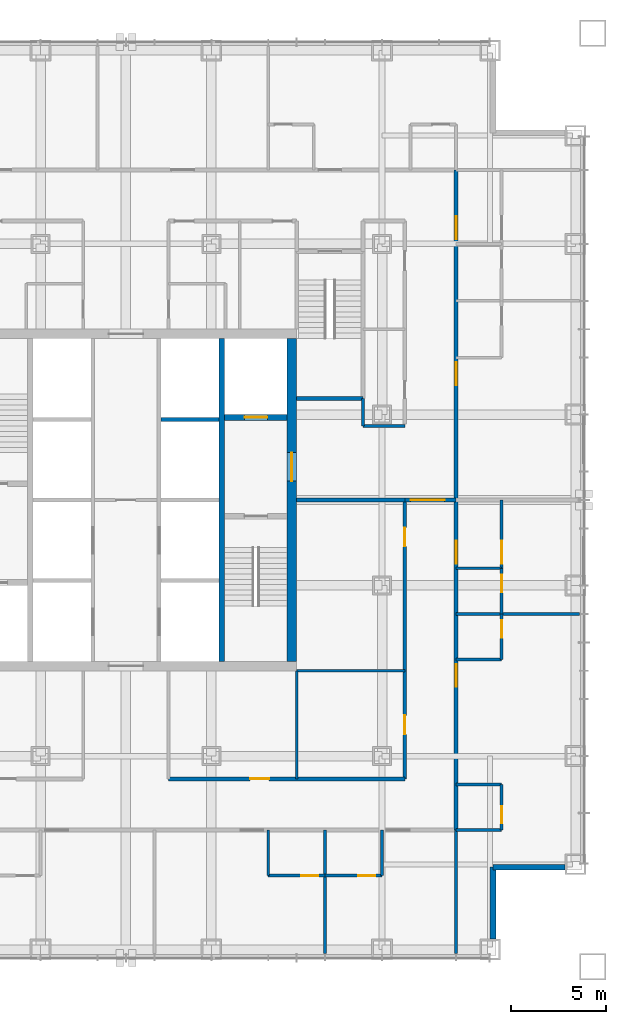
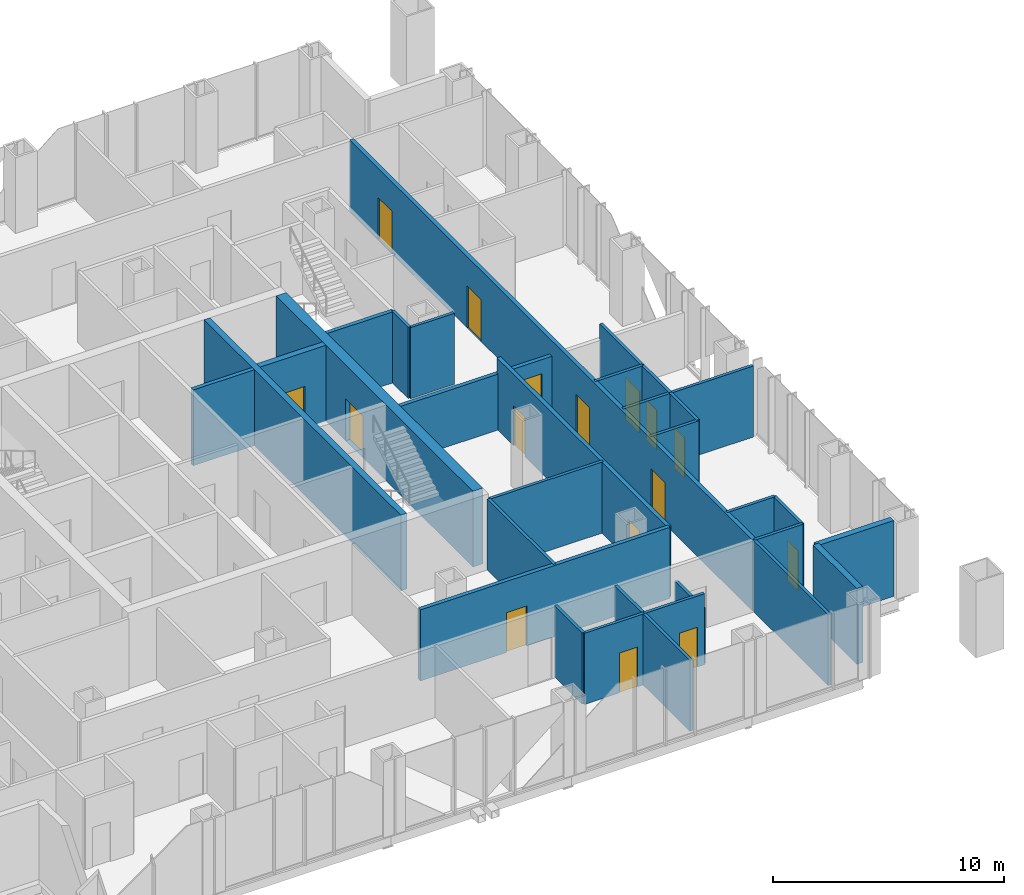
# One storey, part 10 of 17: 31 walls, 16 doors, 16 openings.
"""IFC4 building model written with IfcOpenShell, lengths in metres."""

from ifc_helpers import new_model, si_unit, direction, frame, frame_2d, origin, place, context, subcontext, project, spatial, rectangle, extrude, material, layer, layer_set, type_object, element, fill, save


model = new_model("IFC4")

# Units and contexts
model_context = context("Model", 3, precision=1e-05, world=origin(), true_north=direction((0.0, 1.0)))
body_context = subcontext(model_context, "Body", "Model", "MODEL_VIEW")
ifc_project = project(units=[si_unit("LENGTHUNIT", "METRE"), si_unit("AREAUNIT", "SQUARE_METRE"), si_unit("VOLUMEUNIT", "CUBIC_METRE"), si_unit("PLANEANGLEUNIT", "RADIAN"), si_unit("MASSUNIT", "GRAM", prefix="KILO")], contexts=[model_context])

# Site, building, storey
site_placement = place(None, origin())
site = spatial("IfcSite", under=ifc_project, at=site_placement, CompositionType="ELEMENT")
building_placement = place(site_placement, origin())
building = spatial("IfcBuilding", under=site, at=building_placement, Name="Malebo Sky Hospital", CompositionType="ELEMENT")
storey_placement = place(building_placement, frame((0.0, 0.0, 120.0)))
storey = spatial("IfcBuildingStorey", under=building, at=storey_placement, Name="L28", CompositionType="ELEMENT", Elevation=120.0)

# Walls
ifc_material_1 = material(Name="Concrete C80/95", Category="concrete")
ifc_layer_1 = layer(ifc_material_1, 0.199951171875)
ifc_layer_set_1 = layer_set([ifc_layer_1], Name="CORE INNER WALL 200")
wall_type_1 = type_object("IfcWallType", Name="CORE INNER WALL 200", PredefinedType="SHEAR", material=ifc_layer_set_1)
wall_1_placement = place(storey_placement, frame((61.85009765625, 66.25, 0.0), z_axis=(0.0, 0.0, 1.0), x_axis=(1.0, 0.0, 0.0)))
element("IfcWall", 1, at=wall_1_placement, inside=storey, type_object=wall_type_1, Name="Core wall SE2 L28", PredefinedType="SHEAR", context=body_context, shape_type="SweptSolid", body=[
    extrude(rectangle(XDim=3.0498046875, YDim=0.199951171875, at=frame_2d((1.52490234375, 0.0))), origin(), (0.0, 0.0, 1.0), 4.0),
])
ifc_layer_2 = layer(ifc_material_1, 0.300048828125)
ifc_layer_set_2 = layer_set([ifc_layer_2], Name="CORE INNER WALL 300")
wall_type_2 = type_object("IfcWallType", Name="CORE INNER WALL 300", PredefinedType="SHEAR", material=ifc_layer_set_2)
wall_2_placement = place(storey_placement, frame((65.050048828125, 53.5, 0.0), z_axis=(0.0, 0.0, 1.0), x_axis=(0.0, 1.0, 0.0)))
element("IfcWall", 2, at=wall_2_placement, inside=storey, type_object=wall_type_2, Name="Core wall XE L28", PredefinedType="SHEAR", context=body_context, shape_type="SweptSolid", body=[
    extrude(rectangle(XDim=17.0, YDim=0.300048828125, at=frame_2d((8.5, 0.0))), origin(), (0.0, 0.0, 1.0), 4.0),
])

# Wall, opening, door
wall_3_placement = place(storey_placement, frame((65.199951171875, 66.35009765625, 0.0), z_axis=(0.0, 0.0, 1.0), x_axis=(1.0, 0.0, 0.0)))
wall_3 = element("IfcWall", 3, at=wall_3_placement, inside=storey, type_object=wall_type_2, Name="Core wall E2 L28", PredefinedType="SHEAR", context=body_context, shape_type="SweptSolid", body=[
    extrude(rectangle(XDim=3.300048828125, YDim=0.300048828125, at=frame_2d((1.64990234375, 0.0))), origin(), (0.0, 0.0, 1.0), 4.0),
])
opening_1_placement = place(wall_3_placement, frame((1.050048828125, 0.0, 0.0)))
opening_1 = element("IfcOpeningElement", 4, at=opening_1_placement, cuts=wall_3, Name="Opening LD2", PredefinedType="OPENING", context=body_context, shape_type="SweptSolid", body=[
    extrude(rectangle(XDim=1.199951171875, YDim=2.199951171875, at=frame_2d((0.60009765625, 1.10009765625))), frame((0.0, 0.159912109375, 0.0), z_axis=(0.0, -1.0, 0.0), x_axis=(1.0, 0.0, 0.0)), (0.0, 0.0, 1.0), 0.320068359375),
])
ifc_material_2 = material(Name="Stainless steel sliding landing door", Category="steel")
door_type_1 = type_object("IfcDoorType", Name="FIRE-FIGHTING LIFT LANDING DOOR 1200", OperationType="SLIDING_TO_LEFT", PredefinedType="DOOR", material=ifc_material_2)
door_1_placement = place(opening_1_placement, origin())
door_1 = element("IfcDoor", 5, at=door_1_placement, inside=storey, type_object=door_type_1, Name="Lift FL2 landing door", OperationType="SLIDING_TO_LEFT", OverallHeight=2.199951171875, OverallWidth=1.199951171875, PredefinedType="DOOR", context=body_context, shape_type="SweptSolid", body=[
    extrude(rectangle(XDim=1.199951171875, YDim=2.199951171875, at=frame_2d((0.60009765625, 1.10009765625))), frame((0.0, 0.02490234375, 0.0), z_axis=(0.0, -1.0, 0.0), x_axis=(1.0, 0.0, 0.0)), (0.0, 0.0, 1.0), 0.050048828125),
])
fill(opening_1, door_1)

ifc_layer_3 = layer(ifc_material_1, 0.5)
ifc_layer_set_3 = layer_set([ifc_layer_3], Name="CORE WALL 500")
wall_type_3 = type_object("IfcWallType", Name="CORE WALL 500", PredefinedType="SHEAR", material=ifc_layer_set_3)
wall_4_placement = place(storey_placement, frame((68.75, 53.5, 0.0), z_axis=(0.0, 0.0, 1.0), x_axis=(0.0, 1.0, 0.0)))
wall_4 = element("IfcWall", 6, at=wall_4_placement, inside=storey, type_object=wall_type_3, Name="Core wall E L28", PredefinedType="SHEAR", context=body_context, shape_type="SweptSolid", body=[
    extrude(rectangle(XDim=17.0, YDim=0.5, at=frame_2d((8.5, 0.0))), origin(), (0.0, 0.0, 1.0), 4.0),
])
opening_2_placement = place(wall_4_placement, frame((9.5, 0.0, 0.0)))
opening_2 = element("IfcOpeningElement", 7, at=opening_2_placement, cuts=wall_4, Name="Opening D07", PredefinedType="OPENING", context=body_context, shape_type="SweptSolid", body=[
    extrude(rectangle(XDim=1.5, YDim=2.199951171875, at=frame_2d((0.75, 1.10009765625))), frame((0.0, 0.260009765625, 0.0), z_axis=(0.0, -1.0, 0.0), x_axis=(1.0, 0.0, 0.0)), (0.0, 0.0, 1.0), 0.52001953125),
])
ifc_material_3 = material(Name="Hardwood-faced door leaf in steel frame", Category="steel")
door_type_2 = type_object("IfcDoorType", Name="FIRE-FIGHTING LOBBY DOOR PAIR 1500", OperationType="DOUBLE_DOOR_SINGLE_SWING", PredefinedType="DOOR", material=ifc_material_3)
door_2_placement = place(opening_2_placement, origin())
door_2 = element("IfcDoor", 8, at=door_2_placement, inside=storey, type_object=door_type_2, Name="Fire-fighting lobby door east", OperationType="DOUBLE_DOOR_SINGLE_SWING", OverallHeight=2.199951171875, OverallWidth=1.5, PredefinedType="DOOR", context=body_context, shape_type="SweptSolid", body=[
    extrude(rectangle(XDim=1.5, YDim=2.199951171875, at=frame_2d((0.75, 1.10009765625))), frame((0.0, 0.02490234375, 0.0), z_axis=(0.0, -1.0, 0.0), x_axis=(1.0, 0.0, 0.0)), (0.0, 0.0, 1.0), 0.050048828125),
])
fill(opening_2, door_2)

ifc_material_4 = material(Name="Gypsum board on steel studs", Category="steel")
ifc_layer_4 = layer(ifc_material_4, 0.199951171875)
ifc_layer_set_4 = layer_set([ifc_layer_4], Name="CORRIDOR WALL 200")
wall_type_4 = type_object("IfcWallType", Name="CORRIDOR WALL 200", PredefinedType="PARTITIONING", material=ifc_layer_set_4)
wall_5_placement = place(storey_placement, frame((74.699951171875, 47.300048828125, 0.0), z_axis=(0.0, 0.0, 1.0), x_axis=(-1.0, 0.0, 0.0)))
wall_5 = element("IfcWall", 9, at=wall_5_placement, inside=storey, type_object=wall_type_4, Name="Corridor Wall 200 SCI1", PredefinedType="PARTITIONING", context=body_context, shape_type="SweptSolid", body=[
    extrude(rectangle(XDim=12.449951171875, YDim=0.199951171875, at=frame_2d((6.22509765625, 0.0))), origin(), (0.0, 0.0, 1.0), 3.75),
])
opening_3_placement = place(wall_5_placement, frame((7.14990234375, 0.0, 0.0)))
opening_3 = element("IfcOpeningElement", 10, at=opening_3_placement, cuts=wall_5, Name="Opening D03", PredefinedType="OPENING", context=body_context, shape_type="SweptSolid", body=[
    extrude(rectangle(XDim=1.0, YDim=2.10009765625, at=frame_2d((0.5, 1.050048828125))), frame((0.0, 0.10986328125, 0.0), z_axis=(0.0, -1.0, 0.0), x_axis=(1.0, 0.0, 0.0)), (0.0, 0.0, 1.0), 0.219970703125),
])
door_type_3 = type_object("IfcDoorType", Name="ROOM DOOR 1000", OperationType="SINGLE_SWING_LEFT", PredefinedType="DOOR", material=ifc_material_3)
door_3_placement = place(opening_3_placement, origin())
door_3 = element("IfcDoor", 11, at=door_3_placement, inside=storey, type_object=door_type_3, Name="Wound care room door", OperationType="SINGLE_SWING_LEFT", OverallHeight=2.10009765625, OverallWidth=1.0, PredefinedType="DOOR", context=body_context, shape_type="SweptSolid", body=[
    extrude(rectangle(XDim=1.0, YDim=2.10009765625, at=frame_2d((0.5, 1.050048828125))), frame((0.0, 0.02490234375, 0.0), z_axis=(0.0, -1.0, 0.0), x_axis=(1.0, 0.0, 0.0)), (0.0, 0.0, 1.0), 0.050048828125),
])
fill(opening_3, door_3)

# Wall, openings, doors
wall_6_placement = place(storey_placement, frame((77.39990234375, 79.39990234375, 0.0), z_axis=(0.0, 0.0, 1.0), x_axis=(0.0, -1.0, 0.0)))
wall_6 = element("IfcWall", 12, at=wall_6_placement, inside=storey, type_object=wall_type_4, Name="Corridor Wall 200 ECO", PredefinedType="PARTITIONING", context=body_context, shape_type="SweptSolid", body=[
    extrude(rectangle(XDim=34.7998046875, YDim=0.199951171875, at=frame_2d((17.39990234375, 0.0))), origin(), (0.0, 0.0, 1.0), 3.75),
])
opening_4_placement = place(wall_6_placement, frame((2.449951171875, 0.0, 0.0)))
opening_4 = element("IfcOpeningElement", 13, at=opening_4_placement, cuts=wall_6, Name="Opening D18", PredefinedType="OPENING", context=body_context, shape_type="SweptSolid", body=[
    extrude(rectangle(XDim=1.199951171875, YDim=2.199951171875, at=frame_2d((0.60009765625, 1.10009765625))), frame((0.0, 0.10986328125, 0.0), z_axis=(0.0, -1.0, 0.0), x_axis=(1.0, 0.0, 0.0)), (0.0, 0.0, 1.0), 0.219970703125),
])
opening_5_placement = place(wall_6_placement, frame((10.14990234375, 0.0, 0.0)))
opening_5 = element("IfcOpeningElement", 14, at=opening_5_placement, cuts=wall_6, Name="Opening D01", PredefinedType="OPENING", context=body_context, shape_type="SweptSolid", body=[
    extrude(rectangle(XDim=1.199951171875, YDim=2.199951171875, at=frame_2d((0.60009765625, 1.10009765625))), frame((0.0, 0.10986328125, 0.0), z_axis=(0.0, -1.0, 0.0), x_axis=(1.0, 0.0, 0.0)), (0.0, 0.0, 1.0), 0.219970703125),
])
opening_6_placement = place(wall_6_placement, frame((19.550048828125, 0.0, 0.0)))
opening_6 = element("IfcOpeningElement", 15, at=opening_6_placement, cuts=wall_6, Name="Opening D18", PredefinedType="OPENING", context=body_context, shape_type="SweptSolid", body=[
    extrude(rectangle(XDim=1.199951171875, YDim=2.199951171875, at=frame_2d((0.60009765625, 1.10009765625))), frame((0.0, 0.10986328125, 0.0), z_axis=(0.0, -1.0, 0.0), x_axis=(1.0, 0.0, 0.0)), (0.0, 0.0, 1.0), 0.219970703125),
])
opening_7_placement = place(wall_6_placement, frame((26.050048828125, 0.0, 0.0)))
opening_7 = element("IfcOpeningElement", 16, at=opening_7_placement, cuts=wall_6, Name="Opening D01", PredefinedType="OPENING", context=body_context, shape_type="SweptSolid", body=[
    extrude(rectangle(XDim=1.199951171875, YDim=2.199951171875, at=frame_2d((0.60009765625, 1.10009765625))), frame((0.0, 0.10986328125, 0.0), z_axis=(0.0, -1.0, 0.0), x_axis=(1.0, 0.0, 0.0)), (0.0, 0.0, 1.0), 0.219970703125),
])
door_type_4 = type_object("IfcDoorType", Name="ANTEROOM DOOR 1200", OperationType="SINGLE_SWING_LEFT", PredefinedType="DOOR", material=ifc_material_3)
door_4_placement = place(opening_4_placement, origin())
door_4 = element("IfcDoor", 17, at=door_4_placement, inside=storey, type_object=door_type_4, Name="Anteroom door", OperationType="SINGLE_SWING_RIGHT", OverallHeight=2.199951171875, OverallWidth=1.199951171875, PredefinedType="DOOR", context=body_context, shape_type="SweptSolid", body=[
    extrude(rectangle(XDim=1.199951171875, YDim=2.199951171875, at=frame_2d((0.60009765625, 1.10009765625))), frame((0.0, 0.02490234375, 0.0), z_axis=(0.0, -1.0, 0.0), x_axis=(1.0, 0.0, 0.0)), (0.0, 0.0, 1.0), 0.050048828125),
])
fill(opening_4, door_4)
door_5_placement = place(opening_6_placement, origin())
door_5 = element("IfcDoor", 18, at=door_5_placement, inside=storey, type_object=door_type_4, Name="Anteroom door", OperationType="SINGLE_SWING_RIGHT", OverallHeight=2.199951171875, OverallWidth=1.199951171875, PredefinedType="DOOR", context=body_context, shape_type="SweptSolid", body=[
    extrude(rectangle(XDim=1.199951171875, YDim=2.199951171875, at=frame_2d((0.60009765625, 1.10009765625))), frame((0.0, 0.02490234375, 0.0), z_axis=(0.0, -1.0, 0.0), x_axis=(1.0, 0.0, 0.0)), (0.0, 0.0, 1.0), 0.050048828125),
])
fill(opening_6, door_5)
door_type_5 = type_object("IfcDoorType", Name="BED DOOR 1200", OperationType="SINGLE_SWING_LEFT", PredefinedType="DOOR", material=ifc_material_3)
door_6_placement = place(opening_5_placement, origin())
door_6 = element("IfcDoor", 19, at=door_6_placement, inside=storey, type_object=door_type_5, Name="Two-bed room door", OperationType="SINGLE_SWING_LEFT", OverallHeight=2.199951171875, OverallWidth=1.199951171875, PredefinedType="DOOR", context=body_context, shape_type="SweptSolid", body=[
    extrude(rectangle(XDim=1.199951171875, YDim=2.199951171875, at=frame_2d((0.60009765625, 1.10009765625))), frame((0.0, 0.02490234375, 0.0), z_axis=(0.0, -1.0, 0.0), x_axis=(1.0, 0.0, 0.0)), (0.0, 0.0, 1.0), 0.050048828125),
])
fill(opening_5, door_6)
door_7_placement = place(opening_7_placement, origin())
door_7 = element("IfcDoor", 20, at=door_7_placement, inside=storey, type_object=door_type_5, Name="Four-bed bay door", OperationType="SINGLE_SWING_LEFT", OverallHeight=2.199951171875, OverallWidth=1.199951171875, PredefinedType="DOOR", context=body_context, shape_type="SweptSolid", body=[
    extrude(rectangle(XDim=1.199951171875, YDim=2.199951171875, at=frame_2d((0.60009765625, 1.10009765625))), frame((0.0, 0.02490234375, 0.0), z_axis=(0.0, -1.0, 0.0), x_axis=(1.0, 0.0, 0.0)), (0.0, 0.0, 1.0), 0.050048828125),
])
fill(opening_7, door_7)

wall_7_placement = place(storey_placement, frame((74.699951171875, 62.0, 0.0), z_axis=(0.0, 0.0, 1.0), x_axis=(0.0, -1.0, 0.0)))
wall_7 = element("IfcWall", 21, at=wall_7_placement, inside=storey, type_object=wall_type_4, Name="Corridor Wall 200 ECI2", PredefinedType="PARTITIONING", context=body_context, shape_type="SweptSolid", body=[
    extrude(rectangle(XDim=14.699951171875, YDim=0.199951171875, at=frame_2d((7.35009765625, 0.0))), origin(), (0.0, 0.0, 1.0), 3.75),
])
opening_8_placement = place(wall_7_placement, frame((1.449951171875, 0.0, 0.0)))
opening_8 = element("IfcOpeningElement", 22, at=opening_8_placement, cuts=wall_7, Name="Opening D03", PredefinedType="OPENING", context=body_context, shape_type="SweptSolid", body=[
    extrude(rectangle(XDim=1.0, YDim=2.10009765625, at=frame_2d((0.5, 1.050048828125))), frame((0.0, 0.10986328125, 0.0), z_axis=(0.0, -1.0, 0.0), x_axis=(1.0, 0.0, 0.0)), (0.0, 0.0, 1.0), 0.219970703125),
])
opening_9_placement = place(wall_7_placement, frame((11.35009765625, 0.0, 0.0)))
opening_9 = element("IfcOpeningElement", 23, at=opening_9_placement, cuts=wall_7, Name="Opening D03", PredefinedType="OPENING", context=body_context, shape_type="SweptSolid", body=[
    extrude(rectangle(XDim=1.0, YDim=2.10009765625, at=frame_2d((0.5, 1.050048828125))), frame((0.0, 0.10986328125, 0.0), z_axis=(0.0, -1.0, 0.0), x_axis=(1.0, 0.0, 0.0)), (0.0, 0.0, 1.0), 0.219970703125),
])
door_8_placement = place(opening_8_placement, origin())
door_8 = element("IfcDoor", 24, at=door_8_placement, inside=storey, type_object=door_type_3, Name="Staff rest room door", OperationType="SINGLE_SWING_LEFT", OverallHeight=2.10009765625, OverallWidth=1.0, PredefinedType="DOOR", context=body_context, shape_type="SweptSolid", body=[
    extrude(rectangle(XDim=1.0, YDim=2.10009765625, at=frame_2d((0.5, 1.050048828125))), frame((0.0, 0.02490234375, 0.0), z_axis=(0.0, -1.0, 0.0), x_axis=(1.0, 0.0, 0.0)), (0.0, 0.0, 1.0), 0.050048828125),
])
fill(opening_8, door_8)
door_9_placement = place(opening_9_placement, origin())
door_9 = element("IfcDoor", 25, at=door_9_placement, inside=storey, type_object=door_type_3, Name="Interview room door", OperationType="SINGLE_SWING_RIGHT", OverallHeight=2.10009765625, OverallWidth=1.0, PredefinedType="DOOR", context=body_context, shape_type="SweptSolid", body=[
    extrude(rectangle(XDim=1.0, YDim=2.10009765625, at=frame_2d((0.5, 1.050048828125))), frame((0.0, 0.02490234375, 0.0), z_axis=(0.0, -1.0, 0.0), x_axis=(1.0, 0.0, 0.0)), (0.0, 0.0, 1.0), 0.050048828125),
])
fill(opening_9, door_9)

# Walls
ifc_material_5 = material(Name="Anodised aluminium rainscreen on steel framing", Category="steel")
ifc_layer_5 = layer(ifc_material_5, 0.300048828125)
ifc_layer_set_5 = layer_set([ifc_layer_5], Name="NOTCH RAINSCREEN WALL 300")
wall_type_5 = type_object("IfcWallType", Name="NOTCH RAINSCREEN WALL 300", PredefinedType="ELEMENTEDWALL", material=ifc_layer_set_5)
for number, where, z_axis, x_axis, name in (
    (26, (83.14990234375, 42.64990234375, 0.0), (0.0, 0.0, 1.0), (-1.0, 0.0, 0.0), "Notch rainscreen wall E1 L28"),
    (27, (79.35009765625, 42.64990234375, 0.0), (0.0, 0.0, 1.0), (0.0, -1.0, 0.0), "Notch rainscreen wall E2 L28"),
):
    element("IfcWall", number, at=place(storey_placement, frame(where, z_axis=z_axis, x_axis=x_axis)), inside=storey, type_object=wall_type_5, Name=name, PredefinedType="ELEMENTEDWALL", context=body_context, shape_type="SweptSolid", body=[
        extrude(rectangle(XDim=3.7998046875, YDim=0.300048828125, at=frame_2d((1.89990234375, 0.0))), origin(), (0.0, 0.0, 1.0), 4.0),
    ])
ifc_layer_6 = layer(ifc_material_4, 0.14990234375)
ifc_layer_set_6 = layer_set([ifc_layer_6], Name="PARTITION 150")
wall_type_6 = type_object("IfcWallType", Name="PARTITION 150", PredefinedType="PARTITIONING", material=ifc_layer_set_6)
for number, where, z_axis, x_axis, name in (
    (28, (70.5, 44.60009765625, 0.0), (0.0, 0.0, 1.0), (0.0, -1.0, 0.0), "Partition 150 SP-10.5"),
    (29, (77.39990234375, 44.60009765625, 0.0), (0.0, 0.0, 1.0), (0.0, -1.0, 0.0), "Partition 150 SP0"),
):
    element("IfcWall", number, at=place(storey_placement, frame(where, z_axis=z_axis, x_axis=x_axis)), inside=storey, type_object=wall_type_6, Name=name, PredefinedType="PARTITIONING", context=body_context, shape_type="SweptSolid", body=[
        extrude(rectangle(XDim=6.510009765625, YDim=0.14990234375, at=frame_2d((3.2548828125, 0.0))), origin(), (0.0, 0.0, 1.0), 3.75),
    ])

# Wall, opening, door
wall_8_placement = place(storey_placement, frame((73.5, 42.199951171875, 0.0), z_axis=(0.0, 0.0, 1.0), x_axis=(-1.0, 0.0, 0.0)))
wall_8 = element("IfcWall", 30, at=wall_8_placement, inside=storey, type_object=wall_type_6, Name="Partition 150 SE0F", PredefinedType="PARTITIONING", context=body_context, shape_type="SweptSolid", body=[
    extrude(rectangle(XDim=3.0, YDim=0.14990234375, at=frame_2d((1.5, 0.0))), origin(), (0.0, 0.0, 1.0), 3.75),
])
opening_10_placement = place(wall_8_placement, frame((0.35009765625, 0.0, 0.0)))
opening_10 = element("IfcOpeningElement", 31, at=opening_10_placement, cuts=wall_8, Name="Opening D02", PredefinedType="OPENING", context=body_context, shape_type="SweptSolid", body=[
    extrude(rectangle(XDim=0.89990234375, YDim=2.10009765625, at=frame_2d((0.449951171875, 1.050048828125))), frame((0.0, 0.0849609375, 0.0), z_axis=(0.0, -1.0, 0.0), x_axis=(1.0, 0.0, 0.0)), (0.0, 0.0, 1.0), 0.169921875),
])
door_type_6 = type_object("IfcDoorType", Name="EN-SUITE DOOR 900", OperationType="SINGLE_SWING_LEFT", PredefinedType="DOOR", material=ifc_material_3)
door_10_placement = place(opening_10_placement, origin())
door_10 = element("IfcDoor", 32, at=door_10_placement, inside=storey, type_object=door_type_6, Name="En-suite door", OperationType="SINGLE_SWING_LEFT", OverallHeight=2.10009765625, OverallWidth=0.89990234375, PredefinedType="DOOR", context=body_context, shape_type="SweptSolid", body=[
    extrude(rectangle(XDim=0.89990234375, YDim=2.10009765625, at=frame_2d((0.449951171875, 1.050048828125))), frame((0.0, 0.02490234375, 0.0), z_axis=(0.0, -1.0, 0.0), x_axis=(1.0, 0.0, 0.0)), (0.0, 0.0, 1.0), 0.050048828125),
])
fill(opening_10, door_10)

# Wall
wall_9_placement = place(storey_placement, frame((73.5, 44.60009765625, 0.0), z_axis=(0.0, 0.0, 1.0), x_axis=(0.0, -1.0, 0.0)))
element("IfcWall", 33, at=wall_9_placement, inside=storey, type_object=wall_type_6, Name="Partition 150 SE0S", PredefinedType="PARTITIONING", context=body_context, shape_type="SweptSolid", body=[
    extrude(rectangle(XDim=2.400146484375, YDim=0.14990234375, at=frame_2d((1.2001953125, 0.0))), origin(), (0.0, 0.0, 1.0), 2.949951171875),
])

# Wall, opening, door
wall_10_placement = place(storey_placement, frame((70.5, 42.199951171875, 0.0), z_axis=(0.0, 0.0, 1.0), x_axis=(-1.0, 0.0, 0.0)))
wall_10 = element("IfcWall", 34, at=wall_10_placement, inside=storey, type_object=wall_type_6, Name="Partition 150 SE1F", PredefinedType="PARTITIONING", context=body_context, shape_type="SweptSolid", body=[
    extrude(rectangle(XDim=3.0, YDim=0.14990234375, at=frame_2d((1.5, 0.0))), origin(), (0.0, 0.0, 1.0), 3.75),
])
opening_11_placement = place(wall_10_placement, frame((0.35009765625, 0.0, 0.0)))
opening_11 = element("IfcOpeningElement", 35, at=opening_11_placement, cuts=wall_10, Name="Opening D02", PredefinedType="OPENING", context=body_context, shape_type="SweptSolid", body=[
    extrude(rectangle(XDim=0.89990234375, YDim=2.10009765625, at=frame_2d((0.449951171875, 1.050048828125))), frame((0.0, 0.0849609375, 0.0), z_axis=(0.0, -1.0, 0.0), x_axis=(1.0, 0.0, 0.0)), (0.0, 0.0, 1.0), 0.169921875),
])
door_11_placement = place(opening_11_placement, origin())
door_11 = element("IfcDoor", 36, at=door_11_placement, inside=storey, type_object=door_type_6, Name="En-suite door", OperationType="SINGLE_SWING_LEFT", OverallHeight=2.10009765625, OverallWidth=0.89990234375, PredefinedType="DOOR", context=body_context, shape_type="SweptSolid", body=[
    extrude(rectangle(XDim=0.89990234375, YDim=2.10009765625, at=frame_2d((0.449951171875, 1.050048828125))), frame((0.0, 0.02490234375, 0.0), z_axis=(0.0, -1.0, 0.0), x_axis=(1.0, 0.0, 0.0)), (0.0, 0.0, 1.0), 0.050048828125),
])
fill(opening_11, door_11)

# Walls
wall_11_placement = place(storey_placement, frame((67.5, 44.60009765625, 0.0), z_axis=(0.0, 0.0, 1.0), x_axis=(0.0, -1.0, 0.0)))
element("IfcWall", 37, at=wall_11_placement, inside=storey, type_object=wall_type_6, Name="Partition 150 SE1S", PredefinedType="PARTITIONING", context=body_context, shape_type="SweptSolid", body=[
    extrude(rectangle(XDim=2.400146484375, YDim=0.14990234375, at=frame_2d((1.2001953125, 0.0))), origin(), (0.0, 0.0, 1.0), 3.75),
])
wall_12_placement = place(storey_placement, frame((69.0, 53.0, 0.0), z_axis=(0.0, 0.0, 1.0), x_axis=(0.0, -1.0, 0.0)))
element("IfcWall", 38, at=wall_12_placement, inside=storey, type_object=wall_type_6, Name="Partition 150 SSP0", PredefinedType="PARTITIONING", context=body_context, shape_type="SweptSolid", body=[
    extrude(rectangle(XDim=5.699951171875, YDim=0.14990234375, at=frame_2d((2.85009765625, 0.0))), origin(), (0.0, 0.0, 1.0), 3.75),
])
wall_13_placement = place(storey_placement, frame((77.39990234375, 56.0, 0.0), z_axis=(0.0, 0.0, 1.0), x_axis=(1.0, 0.0, 0.0)))
element("IfcWall", 39, at=wall_13_placement, inside=storey, type_object=wall_type_6, Name="Partition 150 EP+6.0", PredefinedType="PARTITIONING", context=body_context, shape_type="SweptSolid", body=[
    extrude(rectangle(XDim=6.510009765625, YDim=0.14990234375, at=frame_2d((3.2548828125, 0.0))), origin(), (0.0, 0.0, 1.0), 3.75),
])

# Wall, opening, door
wall_14_placement = place(storey_placement, frame((79.800048828125, 58.39990234375, 0.0), z_axis=(0.0, 0.0, 1.0), x_axis=(0.0, -1.0, 0.0)))
wall_14 = element("IfcWall", 40, at=wall_14_placement, inside=storey, type_object=wall_type_6, Name="Partition 150 EE2F", PredefinedType="PARTITIONING", context=body_context, shape_type="SweptSolid", body=[
    extrude(rectangle(XDim=2.39990234375, YDim=0.14990234375, at=frame_2d((1.199951171875, 0.0))), origin(), (0.0, 0.0, 1.0), 3.75),
])
opening_12_placement = place(wall_14_placement, frame((0.35009765625, 0.0, 0.0)))
opening_12 = element("IfcOpeningElement", 41, at=opening_12_placement, cuts=wall_14, Name="Opening D02", PredefinedType="OPENING", context=body_context, shape_type="SweptSolid", body=[
    extrude(rectangle(XDim=0.89990234375, YDim=2.10009765625, at=frame_2d((0.449951171875, 1.050048828125))), frame((0.0, 0.0849609375, 0.0), z_axis=(0.0, -1.0, 0.0), x_axis=(1.0, 0.0, 0.0)), (0.0, 0.0, 1.0), 0.169921875),
])
door_12_placement = place(opening_12_placement, origin())
door_12 = element("IfcDoor", 42, at=door_12_placement, inside=storey, type_object=door_type_6, Name="En-suite door", OperationType="SINGLE_SWING_LEFT", OverallHeight=2.10009765625, OverallWidth=0.89990234375, PredefinedType="DOOR", context=body_context, shape_type="SweptSolid", body=[
    extrude(rectangle(XDim=0.89990234375, YDim=2.10009765625, at=frame_2d((0.449951171875, 1.050048828125))), frame((0.0, 0.02490234375, 0.0), z_axis=(0.0, -1.0, 0.0), x_axis=(1.0, 0.0, 0.0)), (0.0, 0.0, 1.0), 0.050048828125),
])
fill(opening_12, door_12)

# Wall
wall_15_placement = place(storey_placement, frame((77.39990234375, 58.39990234375, 0.0), z_axis=(0.0, 0.0, 1.0), x_axis=(1.0, 0.0, 0.0)))
element("IfcWall", 43, at=wall_15_placement, inside=storey, type_object=wall_type_6, Name="Partition 150 EE2S", PredefinedType="PARTITIONING", context=body_context, shape_type="SweptSolid", body=[
    extrude(rectangle(XDim=2.400146484375, YDim=0.14990234375, at=frame_2d((1.2001953125, 0.0))), origin(), (0.0, 0.0, 1.0), 3.75),
])

# Wall, opening, door
wall_16_placement = place(storey_placement, frame((79.800048828125, 56.0, 0.0), z_axis=(0.0, 0.0, 1.0), x_axis=(0.0, -1.0, 0.0)))
wall_16 = element("IfcWall", 44, at=wall_16_placement, inside=storey, type_object=wall_type_6, Name="Partition 150 EE3F", PredefinedType="PARTITIONING", context=body_context, shape_type="SweptSolid", body=[
    extrude(rectangle(XDim=2.39990234375, YDim=0.14990234375, at=frame_2d((1.199951171875, 0.0))), origin(), (0.0, 0.0, 1.0), 3.75),
])
opening_13_placement = place(wall_16_placement, frame((0.35009765625, 0.0, 0.0)))
opening_13 = element("IfcOpeningElement", 45, at=opening_13_placement, cuts=wall_16, Name="Opening D02", PredefinedType="OPENING", context=body_context, shape_type="SweptSolid", body=[
    extrude(rectangle(XDim=0.89990234375, YDim=2.10009765625, at=frame_2d((0.449951171875, 1.050048828125))), frame((0.0, 0.0849609375, 0.0), z_axis=(0.0, -1.0, 0.0), x_axis=(1.0, 0.0, 0.0)), (0.0, 0.0, 1.0), 0.169921875),
])
door_13_placement = place(opening_13_placement, origin())
door_13 = element("IfcDoor", 46, at=door_13_placement, inside=storey, type_object=door_type_6, Name="En-suite door", OperationType="SINGLE_SWING_LEFT", OverallHeight=2.10009765625, OverallWidth=0.89990234375, PredefinedType="DOOR", context=body_context, shape_type="SweptSolid", body=[
    extrude(rectangle(XDim=0.89990234375, YDim=2.10009765625, at=frame_2d((0.449951171875, 1.050048828125))), frame((0.0, 0.02490234375, 0.0), z_axis=(0.0, -1.0, 0.0), x_axis=(1.0, 0.0, 0.0)), (0.0, 0.0, 1.0), 0.050048828125),
])
fill(opening_13, door_13)

# Wall
wall_17_placement = place(storey_placement, frame((77.39990234375, 53.60009765625, 0.0), z_axis=(0.0, 0.0, 1.0), x_axis=(1.0, 0.0, 0.0)))
element("IfcWall", 47, at=wall_17_placement, inside=storey, type_object=wall_type_6, Name="Partition 150 EE3S", PredefinedType="PARTITIONING", context=body_context, shape_type="SweptSolid", body=[
    extrude(rectangle(XDim=2.400146484375, YDim=0.14990234375, at=frame_2d((1.2001953125, 0.0))), origin(), (0.0, 0.0, 1.0), 3.75),
])

# Wall, opening, door
wall_18_placement = place(storey_placement, frame((79.800048828125, 47.0, 0.0), z_axis=(0.0, 0.0, 1.0), x_axis=(0.0, -1.0, 0.0)))
wall_18 = element("IfcWall", 48, at=wall_18_placement, inside=storey, type_object=wall_type_6, Name="Partition 150 EG3F", PredefinedType="PARTITIONING", context=body_context, shape_type="SweptSolid", body=[
    extrude(rectangle(XDim=2.39990234375, YDim=0.14990234375, at=frame_2d((1.199951171875, 0.0))), origin(), (0.0, 0.0, 1.0), 3.75),
])
opening_14_placement = place(wall_18_placement, frame((1.14990234375, 0.0, 0.0)))
opening_14 = element("IfcOpeningElement", 49, at=opening_14_placement, cuts=wall_18, Name="Opening D02", PredefinedType="OPENING", context=body_context, shape_type="SweptSolid", body=[
    extrude(rectangle(XDim=0.89990234375, YDim=2.10009765625, at=frame_2d((0.449951171875, 1.050048828125))), frame((0.0, 0.0849609375, 0.0), z_axis=(0.0, -1.0, 0.0), x_axis=(1.0, 0.0, 0.0)), (0.0, 0.0, 1.0), 0.169921875),
])
door_14_placement = place(opening_14_placement, origin())
door_14 = element("IfcDoor", 50, at=door_14_placement, inside=storey, type_object=door_type_6, Name="En-suite door", OperationType="SINGLE_SWING_RIGHT", OverallHeight=2.10009765625, OverallWidth=0.89990234375, PredefinedType="DOOR", context=body_context, shape_type="SweptSolid", body=[
    extrude(rectangle(XDim=0.89990234375, YDim=2.10009765625, at=frame_2d((0.449951171875, 1.050048828125))), frame((0.0, 0.02490234375, 0.0), z_axis=(0.0, -1.0, 0.0), x_axis=(1.0, 0.0, 0.0)), (0.0, 0.0, 1.0), 0.050048828125),
])
fill(opening_14, door_14)

# Walls
for number, where, z_axis, x_axis, name in (
    (51, (77.39990234375, 47.0, 0.0), (0.0, 0.0, 1.0), (1.0, 0.0, 0.0), "Partition 150 EG3S"),
    (52, (77.39990234375, 44.60009765625, 0.0), (0.0, 0.0, 1.0), (1.0, 0.0, 0.0), "Partition 150 EEZ"),
):
    element("IfcWall", number, at=place(storey_placement, frame(where, z_axis=z_axis, x_axis=x_axis)), inside=storey, type_object=wall_type_6, Name=name, PredefinedType="PARTITIONING", context=body_context, shape_type="SweptSolid", body=[
        extrude(rectangle(XDim=2.400146484375, YDim=0.14990234375, at=frame_2d((1.2001953125, 0.0))), origin(), (0.0, 0.0, 1.0), 3.75),
    ])
wall_19_placement = place(storey_placement, frame((72.5, 65.89990234375, 0.0), z_axis=(0.0, 0.0, 1.0), x_axis=(1.0, 0.0, 0.0)))
element("IfcWall", 53, at=wall_19_placement, inside=storey, type_object=wall_type_6, Name="Partition 150 ESPA", PredefinedType="PARTITIONING", context=body_context, shape_type="SweptSolid", body=[
    extrude(rectangle(XDim=2.199951171875, YDim=0.14990234375, at=frame_2d((1.10009765625, 0.0))), origin(), (0.0, 0.0, 1.0), 3.75),
])
wall_20_placement = place(storey_placement, frame((69.0, 53.0, 0.0), z_axis=(0.0, 0.0, 1.0), x_axis=(1.0, 0.0, 0.0)))
element("IfcWall", 54, at=wall_20_placement, inside=storey, type_object=wall_type_6, Name="Partition 150 ESP+9.0", PredefinedType="PARTITIONING", context=body_context, shape_type="SweptSolid", body=[
    extrude(rectangle(XDim=5.699951171875, YDim=0.14990234375, at=frame_2d((2.85009765625, 0.0))), origin(), (0.0, 0.0, 1.0), 3.75),
])
wall_21_placement = place(storey_placement, frame((72.5, 65.89990234375, 0.0), z_axis=(0.0, 0.0, 1.0), x_axis=(0.0, 1.0, 0.0)))
element("IfcWall", 55, at=wall_21_placement, inside=storey, type_object=wall_type_6, Name="Partition 150 ST3C", PredefinedType="PARTITIONING", context=body_context, shape_type="SweptSolid", body=[
    extrude(rectangle(XDim=1.4501953125, YDim=0.14990234375, at=frame_2d((0.72509765625, 0.0))), origin(), (0.0, 0.0, 1.0), 3.75),
])

# Wall, opening, door
ifc_material_6 = material(Name="Sealed gypsum board on steel studs, taped to the slab", Category="steel")
ifc_layer_7 = layer(ifc_material_6, 0.14990234375)
ifc_layer_set_7 = layer_set([ifc_layer_7], Name="SEALED ISOLATION PARTITION 150")
wall_type_7 = type_object("IfcWallType", Name="SEALED ISOLATION PARTITION 150", PredefinedType="PARTITIONING", material=ifc_layer_set_7)
wall_22_placement = place(storey_placement, frame((79.800048828125, 62.0, 0.0), z_axis=(0.0, 0.0, 1.0), x_axis=(0.0, -1.0, 0.0)))
wall_22 = element("IfcWall", 56, at=wall_22_placement, inside=storey, type_object=wall_type_7, Name="Sealed Isolation Partition 150 EA2F", PredefinedType="PARTITIONING", context=body_context, shape_type="SweptSolid", body=[
    extrude(rectangle(XDim=3.60009765625, YDim=0.14990234375, at=frame_2d((1.800048828125, 0.0))), origin(), (0.0, 0.0, 1.0), 3.75),
])
opening_15_placement = place(wall_22_placement, frame((2.14990234375, 0.0, 0.0)))
opening_15 = element("IfcOpeningElement", 57, at=opening_15_placement, cuts=wall_22, Name="Opening D19", PredefinedType="OPENING", context=body_context, shape_type="SweptSolid", body=[
    extrude(rectangle(XDim=1.199951171875, YDim=2.199951171875, at=frame_2d((0.60009765625, 1.10009765625))), frame((0.0, 0.0849609375, 0.0), z_axis=(0.0, -1.0, 0.0), x_axis=(1.0, 0.0, 0.0)), (0.0, 0.0, 1.0), 0.169921875),
])
ifc_material_7 = material(Name="Hardwood-faced door leaf with perimeter seals in steel frame", Category="steel")
door_type_7 = type_object("IfcDoorType", Name="SEALED ISOLATION ROOM DOOR 1200", OperationType="SINGLE_SWING_LEFT", PredefinedType="DOOR", material=ifc_material_7)
door_15_placement = place(opening_15_placement, origin())
door_15 = element("IfcDoor", 58, at=door_15_placement, inside=storey, type_object=door_type_7, Name="Isolation room door", OperationType="SINGLE_SWING_RIGHT", OverallHeight=2.199951171875, OverallWidth=1.199951171875, PredefinedType="DOOR", context=body_context, shape_type="SweptSolid", body=[
    extrude(rectangle(XDim=1.199951171875, YDim=2.199951171875, at=frame_2d((0.60009765625, 1.10009765625))), frame((0.0, 0.02490234375, 0.0), z_axis=(0.0, -1.0, 0.0), x_axis=(1.0, 0.0, 0.0)), (0.0, 0.0, 1.0), 0.050048828125),
])
fill(opening_15, door_15)

# Wall
ifc_material_8 = material(Name="Concrete blockwork", Category="masonry")
ifc_layer_8 = layer(ifc_material_8, 0.199951171875)
ifc_layer_set_8 = layer_set([ifc_layer_8], Name="SMOKE BARRIER WALL 200")
wall_type_8 = type_object("IfcWallType", Name="SMOKE BARRIER WALL 200", PredefinedType="SOLIDWALL", material=ifc_layer_set_8)
wall_23_placement = place(storey_placement, frame((69.0, 62.0, 0.0), z_axis=(0.0, 0.0, 1.0), x_axis=(1.0, 0.0, 0.0)))
element("IfcWall", 59, at=wall_23_placement, inside=storey, type_object=wall_type_8, Name="Smoke Barrier Wall 200 ESPB", PredefinedType="SOLIDWALL", context=body_context, shape_type="SweptSolid", body=[
    extrude(rectangle(XDim=5.699951171875, YDim=0.199951171875, at=frame_2d((2.85009765625, 0.0))), origin(), (0.0, 0.0, 1.0), 2.949951171875),
])

# Wall, opening, door
wall_24_placement = place(storey_placement, frame((74.699951171875, 62.0, 0.0), z_axis=(0.0, 0.0, 1.0), x_axis=(1.0, 0.0, 0.0)))
wall_24 = element("IfcWall", 60, at=wall_24_placement, inside=storey, type_object=wall_type_8, Name="Smoke Barrier Wall 200 ESB", PredefinedType="SOLIDWALL", context=body_context, shape_type="SweptSolid", body=[
    extrude(rectangle(XDim=2.699951171875, YDim=0.199951171875, at=frame_2d((1.35009765625, 0.0))), origin(), (0.0, 0.0, 1.0), 2.949951171875),
])
opening_16_placement = place(wall_24_placement, frame((0.300048828125, 0.0, 0.0)))
opening_16 = element("IfcOpeningElement", 61, at=opening_16_placement, cuts=wall_24, Name="Opening D05", PredefinedType="OPENING", context=body_context, shape_type="SweptSolid", body=[
    extrude(rectangle(XDim=1.800048828125, YDim=2.199951171875, at=frame_2d((0.89990234375, 1.10009765625))), frame((0.0, 0.10986328125, 0.0), z_axis=(0.0, -1.0, 0.0), x_axis=(1.0, 0.0, 0.0)), (0.0, 0.0, 1.0), 0.219970703125),
])
door_type_8 = type_object("IfcDoorType", Name="SMOKE DOOR PAIR 1800", OperationType="DOUBLE_DOOR_DOUBLE_SWING", PredefinedType="DOOR", material=ifc_material_3)
door_16_placement = place(opening_16_placement, origin())
door_16 = element("IfcDoor", 62, at=door_16_placement, inside=storey, type_object=door_type_8, Name="Smoke compartment door pair", OperationType="DOUBLE_DOOR_DOUBLE_SWING", OverallHeight=2.199951171875, OverallWidth=1.800048828125, PredefinedType="DOOR", context=body_context, shape_type="SweptSolid", body=[
    extrude(rectangle(XDim=1.800048828125, YDim=2.199951171875, at=frame_2d((0.89990234375, 1.10009765625))), frame((0.0, 0.02490234375, 0.0), z_axis=(0.0, -1.0, 0.0), x_axis=(1.0, 0.0, 0.0)), (0.0, 0.0, 1.0), 0.050048828125),
])
fill(opening_16, door_16)

# Wall
ifc_material_9 = material(Name="Concrete C40/50", Category="concrete")
ifc_layer_9 = layer(ifc_material_9, 0.199951171875)
ifc_layer_set_9 = layer_set([ifc_layer_9], Name="STAIR ENCLOSURE WALL 200")
wall_type_9 = type_object("IfcWallType", Name="STAIR ENCLOSURE WALL 200", PredefinedType="SOLIDWALL", material=ifc_layer_set_9)
wall_25_placement = place(storey_placement, frame((69.0, 67.35009765625, 0.0), z_axis=(0.0, 0.0, 1.0), x_axis=(1.0, 0.0, 0.0)))
element("IfcWall", 63, at=wall_25_placement, inside=storey, type_object=wall_type_9, Name="Stair Enclosure Wall 200 ST3S", PredefinedType="SOLIDWALL", context=body_context, shape_type="SweptSolid", body=[
    extrude(rectangle(XDim=3.5, YDim=0.199951171875, at=frame_2d((1.75, 0.0))), origin(), (0.0, 0.0, 1.0), 3.75),
])

save(model, "model.ifc")
